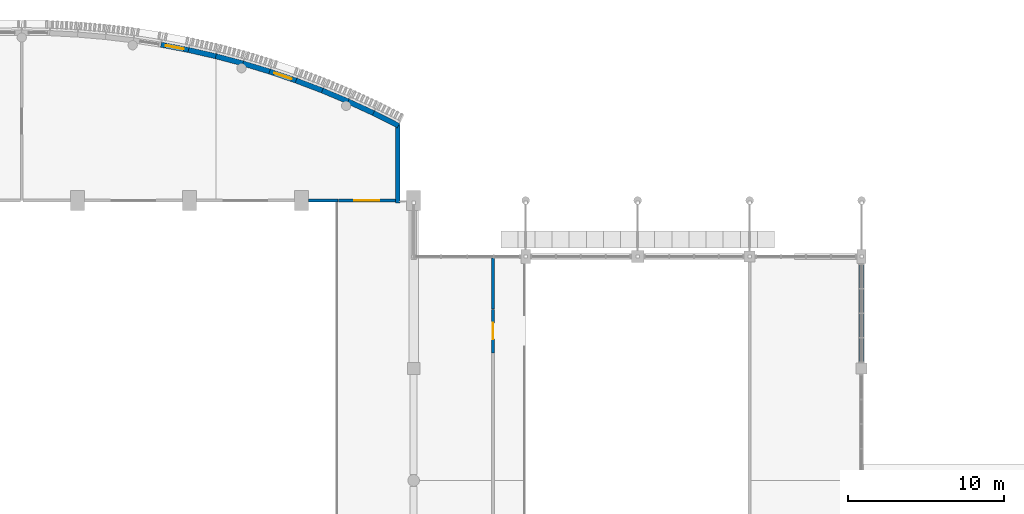
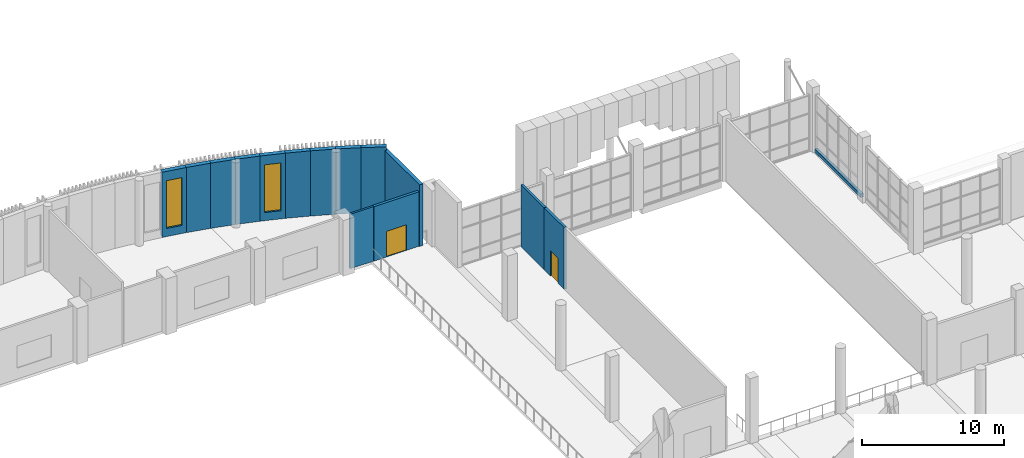
# One storey, part 58 of 80: 15 walls, 2 doors, 2 windows, 4 openings.
"""IFC4 building model written with IfcOpenShell, lengths in metres."""

import ifcopenshell
import ifcopenshell.guid

model = None  # the IFC model being written
_history = None  # IfcOwnerHistory: only IFC2X3 demands one
_inside = {}  # id of a spatial element -> (the spatial element, [elements in it])
_under = {}  # id of a project, library or spatial element -> (it, [spatial elements below it])
_declared = {}  # id of a project -> (the project, [libraries it declares])
_typed = {}  # id of a type object -> (the type object, [elements of that type])
_made_of = {}  # id of a material, layer set ... -> (it, [elements and type objects made of it])


def new_model(schema):
    """Start an empty IFC model of exactly this schema.

    Asked for "IFC4X3", IfcOpenShell would pick the latest addendum, in which some entities
    have other attributes; the version numbers below select the first issue.
    IFC2X3 requires an IfcOwnerHistory on every rooted entity: one is made here for all.
    """
    global model, _history
    if schema == "IFC4X3":
        model = ifcopenshell.file(schema_version=(4, 3, 0, 0))
    else:
        model = ifcopenshell.file(schema=schema)
    _inside.clear()
    _under.clear()
    _declared.clear()
    _typed.clear()
    _made_of.clear()
    _history = None
    if model.schema == "IFC2X3":
        org = make("IfcOrganization", Name="unknown")
        user = make(
            "IfcPersonAndOrganization",
            ThePerson=make("IfcPerson", FamilyName="unknown"),
            TheOrganization=org,
        )
        app = make(
            "IfcApplication",
            ApplicationDeveloper=org,
            Version="unknown",
            ApplicationFullName="unknown",
            ApplicationIdentifier="unknown",
        )
        _history = make(
            "IfcOwnerHistory",
            OwningUser=user,
            OwningApplication=app,
            ChangeAction="ADDED",
            CreationDate=0,
        )
    return model


def make(cls, **values):
    """One entity of the class cls with the attributes given. An attribute that is None is left unset."""
    return model.create_entity(
        cls, **{name: value for name, value in values.items() if value is not None}
    )


def rooted(cls, **values):
    """An entity with a GlobalId (a new one), such as an element, a storey or a relation."""
    return make(cls, GlobalId=ifcopenshell.guid.new(), OwnerHistory=_history, **values)


def si_unit(unit_type, name, prefix=None):
    """IfcSIUnit, for example si_unit("LENGTHUNIT", "METRE", prefix="MILLI")."""
    return make("IfcSIUnit", UnitType=unit_type, Prefix=prefix, Name=name)


def assignment(units):
    """IfcUnitAssignment: the units of a project."""
    return None if units is None else make("IfcUnitAssignment", Units=units)


def point(xyz):
    """IfcCartesianPoint."""
    return None if xyz is None else make("IfcCartesianPoint", Coordinates=xyz)


def direction(xyz):
    """IfcDirection."""
    return None if xyz is None else make("IfcDirection", DirectionRatios=xyz)


def frame(location, z_axis=None, x_axis=None):
    """IfcAxis2Placement3D, a coordinate frame: its origin and axes. An axis left out is left unset."""
    return make(
        "IfcAxis2Placement3D",
        Location=point(location),
        Axis=direction(z_axis),
        RefDirection=direction(x_axis),
    )


def frame_2d(location, x_axis=None):
    """IfcAxis2Placement2D, a coordinate frame in the plane: its origin and x axis."""
    return make(
        "IfcAxis2Placement2D", Location=point(location), RefDirection=direction(x_axis)
    )


def origin():
    """The frame at (0, 0, 0) with its axes left unset."""
    return frame((0.0, 0.0, 0.0))


def place(relative_to, where):
    """IfcLocalPlacement: puts the frame where relative to a parent placement (None: the world)."""
    return make(
        "IfcLocalPlacement", PlacementRelTo=relative_to, RelativePlacement=where
    )


def context(
    kind, dimensions, precision=None, world=None, true_north=None, identifier=None
):
    """IfcGeometricRepresentationContext, for example the 3D "Model" context."""
    return make(
        "IfcGeometricRepresentationContext",
        ContextIdentifier=identifier,
        ContextType=kind,
        CoordinateSpaceDimension=dimensions,
        Precision=precision,
        WorldCoordinateSystem=world,
        TrueNorth=true_north,
    )


def subcontext(parent, identifier, kind, view, scale=None):
    """IfcGeometricRepresentationSubContext, for example "Body" below "Model"."""
    return make(
        "IfcGeometricRepresentationSubContext",
        ContextIdentifier=identifier,
        ContextType=kind,
        ParentContext=parent,
        TargetScale=scale,
        TargetView=view,
    )


def project(units=None, contexts=None):
    """IfcProject with its units and contexts."""
    return rooted(
        "IfcProject",
        Name="project",
        RepresentationContexts=contexts,
        UnitsInContext=assignment(units),
    )


def spatial(cls, under=None, at=None, **own):
    """A site, building, storey or space (cls), placed at a placement, below another one or the project."""
    s = rooted(cls, ObjectPlacement=at, **own)
    if under is not None:
        _under.setdefault(under.id(), (under, []))[1].append(s)
    return s


def polyline(points):
    """IfcPolyline through the points."""
    return make("IfcPolyline", Points=[point(p) for p in points])


def profile(cls, at=None, kind="AREA", **sizes):
    """A parametric profile (cls). Its sizes go by their IFC names, for example OverallWidth=200.0."""
    return make(cls, ProfileType=kind, Position=at, **sizes)


def rectangle(**sizes):
    """IfcRectangleProfileDef."""
    return profile("IfcRectangleProfileDef", **sizes)


def outline(outer, holes=None, kind="AREA"):
    """IfcArbitraryClosedProfileDef: a profile drawn as a closed curve; with holes, ...WithVoids."""
    if holes is None:
        return make("IfcArbitraryClosedProfileDef", ProfileType=kind, OuterCurve=outer)
    return make(
        "IfcArbitraryProfileDefWithVoids",
        ProfileType=kind,
        OuterCurve=outer,
        InnerCurves=holes,
    )


def extrude(swept, where, along, depth):
    """IfcExtrudedAreaSolid: the profile swept, set in the frame where, extruded along a direction by depth."""
    return make(
        "IfcExtrudedAreaSolid",
        SweptArea=swept,
        Position=where,
        ExtrudedDirection=direction(along),
        Depth=depth,
    )


def shape(context_of_items, identifier, shape_type, items):
    """IfcShapeRepresentation: the items that make up one representation, for example the "Body"."""
    return make(
        "IfcShapeRepresentation",
        ContextOfItems=context_of_items,
        RepresentationIdentifier=identifier,
        RepresentationType=shape_type,
        Items=items,
    )


def material(Name=None, Category=None):
    """IfcMaterial."""
    return make("IfcMaterial", Name=Name, Category=Category)


def layer(
    of_material, thickness, ventilated=None, Name=None, Category=None, Priority=None
):
    """IfcMaterialLayer: one layer of a wall or slab, of a material (None: an air gap)."""
    return make(
        "IfcMaterialLayer",
        Material=of_material,
        LayerThickness=thickness,
        IsVentilated=ventilated,
        Name=Name,
        Category=Category,
        Priority=Priority,
    )


def layer_set(layers, Name=None):
    """IfcMaterialLayerSet."""
    return make("IfcMaterialLayerSet", MaterialLayers=layers, LayerSetName=Name)


def made_of(thing, what):
    """Note that an element or type object is made of a material, layer set ...; save() writes the relation."""
    if what is not None:
        _made_of.setdefault(what.id(), (what, []))[1].append(thing)
    return thing


def type_object(cls, material=None, **own):
    """A type object (cls), such as IfcWallType, which elements share."""
    return made_of(rooted(cls, **own), material)


def element(
    cls,
    number,
    at=None,
    inside=None,
    cuts=None,
    type_object=None,
    material=None,
    context=None,
    identifier="Body",
    shape_type=None,
    held_by="IfcProductDefinitionShape",
    body=None,
    shapes=None,
    **own,
):
    """One element of the class cls, such as IfcWall. Its Tag is "e" and its number.

    at: its placement. inside: the storey or other place that contains it. cuts: it is an
    opening in that element (IfcRelVoidsElement). A single representation is given by context,
    identifier, shape_type and body (its items); several are given by shapes. held_by: the class
    of the entity that holds the representations. save() writes the other relations.
    """
    e = rooted(cls, Tag="e%d" % number, ObjectPlacement=at, **own)
    if body is not None:
        shapes = [shape(context, identifier, shape_type, body)]
    if shapes is not None:
        e.Representation = make(held_by, Representations=shapes)
    if inside is not None:
        _inside.setdefault(inside.id(), (inside, []))[1].append(e)
    if cuts is not None:
        rooted(
            "IfcRelVoidsElement", RelatingBuildingElement=cuts, RelatedOpeningElement=e
        )
    if type_object is not None:
        _typed.setdefault(type_object.id(), (type_object, []))[1].append(e)
    return made_of(e, material)


def fill(opening, filler):
    """IfcRelFillsElement: the door or window that sits in an opening."""
    return rooted(
        "IfcRelFillsElement",
        RelatingOpeningElement=opening,
        RelatedBuildingElement=filler,
    )


def aggregate(whole, parts):
    """IfcRelAggregates: a whole, such as a stair, and the parts it consists of."""
    return rooted("IfcRelAggregates", RelatingObject=whole, RelatedObjects=parts)


def save(model, path):
    """Write the relations noted so far, then the file.

    IfcRelAggregates (storeys below a building ...), IfcRelContainedInSpatialStructure (elements
    in a storey), IfcRelDefinesByType, IfcRelAssociatesMaterial and IfcRelDeclares: one each for
    every whole, place, type object, material and project.
    """
    for whole, parts in _under.values():
        aggregate(whole, parts)
    for where, things in _inside.values():
        rooted(
            "IfcRelContainedInSpatialStructure",
            RelatedElements=things,
            RelatingStructure=where,
        )
    for kind, things in _typed.values():
        rooted("IfcRelDefinesByType", RelatedObjects=things, RelatingType=kind)
    for what, things in _made_of.values():
        rooted("IfcRelAssociatesMaterial", RelatedObjects=things, RelatingMaterial=what)
    for by, libraries in _declared.values():
        rooted("IfcRelDeclares", RelatingContext=by, RelatedDefinitions=libraries)
    model.write(path)


model = new_model("IFC4")

# Units and contexts
model_context = context("Model", 3, precision=1e-05, world=origin(), true_north=direction((0.0, 1.0)))
body_context = subcontext(model_context, "Body", "Model", "MODEL_VIEW")
ifc_project = project(units=[si_unit("LENGTHUNIT", "METRE"), si_unit("AREAUNIT", "SQUARE_METRE"), si_unit("VOLUMEUNIT", "CUBIC_METRE"), si_unit("PLANEANGLEUNIT", "RADIAN"), si_unit("MASSUNIT", "GRAM", prefix="KILO")], contexts=[model_context])

# Site, building, storey
site_placement = place(None, origin())
site = spatial("IfcSite", under=ifc_project, at=site_placement, CompositionType="ELEMENT")
building_placement = place(site_placement, origin())
building = spatial("IfcBuilding", under=site, at=building_placement, Name="Sardonyx Promenade Sports Hall", CompositionType="ELEMENT")
storey_placement = place(building_placement, frame((0.0, 0.0, 5.60009765625)))
storey = spatial("IfcBuildingStorey", under=building, at=storey_placement, Name="L01", CompositionType="ELEMENT", Elevation=5.60009765625)

# Wall, opening, window
ifc_material_1 = material(Name="Concrete C40/50", Category="concrete")
ifc_layer_1 = layer(ifc_material_1, 0.340087890625)
ifc_layer_set_1 = layer_set([ifc_layer_1], Name="Wall_Bow_Arc_340")
wall_type_1 = type_object("IfcWallType", Name="Wall_Bow_Arc_340", PredefinedType="SOLIDWALL", material=ifc_layer_set_1)
wall_1_placement = place(storey_placement, frame((62.95556640625, 114.423095703125, 0.0), z_axis=(0.0, 0.0, 1.0), x_axis=(0.981913462005, -0.189330275271, 0.0)))
wall_1 = element("IfcWall", 1, at=wall_1_placement, inside=storey, type_object=wall_type_1, Name="Bowed promenade wall EW07 L01 CH20", PredefinedType="SOLIDWALL", context=body_context, shape_type="SweptSolid", body=[
    extrude(outline(polyline([(0.002943, -0.17), (1.797057, -0.17), (1.802942, 0.17), (-0.002943, 0.17), (0.002943, -0.17)])), origin(), (0.0, 0.0, 1.0), 5.599853515625),
])
opening_1_placement = place(wall_1_placement, frame((0.31005859375, 0.0, 0.699951171875)))
opening_1 = element("IfcOpeningElement", 2, at=opening_1_placement, cuts=wall_1, Name="Opening W09", PredefinedType="OPENING", context=body_context, shape_type="SweptSolid", body=[
    extrude(rectangle(XDim=1.179931640625, YDim=4.10009765625, at=frame_2d((0.58984375, 2.050048828125))), frame((0.0, 0.18, 0.0), z_axis=(0.0, -1.0, 0.0), x_axis=(1.0, 0.0, 0.0)), (0.0, 0.0, 1.0), 0.36),
])
ifc_material_2 = material(Name="Double-glazed solar low-E aluminium window", Category="aluminium")
window_type = type_object("IfcWindowType", Name="Win_Bow_Daylight", PartitioningType="SINGLE_PANEL", PredefinedType="WINDOW", material=ifc_material_2)
window_1_placement = place(opening_1_placement, origin())
window_1 = element("IfcWindow", 3, at=window_1_placement, inside=storey, type_object=window_type, Name="Harbour daylight bay window W09 L01 CH20", OverallHeight=4.10009765625, OverallWidth=1.179931640625, PartitioningType="SINGLE_PANEL", PredefinedType="WINDOW", context=body_context, shape_type="SweptSolid", body=[
    extrude(rectangle(XDim=1.179931640625, YDim=4.10009765625, at=frame_2d((0.58984375, 2.050048828125))), frame((0.0, 0.030029296875, 0.0), z_axis=(0.0, -1.0, 0.0), x_axis=(1.0, 0.0, 0.0)), (0.0, 0.0, 1.0), 0.06005859375),
])
fill(opening_1, window_1)

# Walls
wall_2_placement = place(storey_placement, frame((64.72314453125, 114.082275390625, 0.0), z_axis=(0.0, 0.0, 1.0), x_axis=(0.974791962114, -0.223115733641, 0.0)))
element("IfcWall", 4, at=wall_2_placement, inside=storey, type_object=wall_type_1, Name="Bowed promenade wall EW07 L01 CH21", PredefinedType="SOLIDWALL", context=body_context, shape_type="SweptSolid", body=[
    extrude(outline(polyline([(0.002943, -0.17), (1.797057, -0.17), (1.802943, 0.17), (-0.002943, 0.17), (0.002943, -0.17)])), origin(), (0.0, 0.0, 1.0), 5.599853515625),
])
wall_3_placement = place(storey_placement, frame((66.477783203125, 113.6806640625, 0.0), z_axis=(0.0, 0.0, 1.0), x_axis=(0.966504582235, -0.256649357135, 0.0)))
element("IfcWall", 5, at=wall_3_placement, inside=storey, type_object=wall_type_1, Name="Bowed promenade wall EW07 L01 CH22", PredefinedType="SOLIDWALL", context=body_context, shape_type="SweptSolid", body=[
    extrude(outline(polyline([(0.002943, -0.17), (1.797058, -0.17), (1.802943, 0.17), (-0.002943, 0.17), (0.002943, -0.17)])), origin(), (0.0, 0.0, 1.0), 5.599853515625),
])
wall_4_placement = place(storey_placement, frame((68.21728515625, 113.21875, 0.0), z_axis=(0.0, 0.0, 1.0), x_axis=(0.956993600338, -0.290109029354, 0.0)))
element("IfcWall", 6, at=wall_4_placement, inside=storey, type_object=wall_type_1, Name="Bowed promenade wall EW07 L01 CH23", PredefinedType="SOLIDWALL", context=body_context, shape_type="SweptSolid", body=[
    extrude(outline(polyline([(0.002943, -0.17), (1.797057, -0.17), (1.802942, 0.17), (-0.002943, 0.17), (0.002943, -0.17)])), origin(), (0.0, 0.0, 1.0), 5.599853515625),
])

# Wall, opening, window
wall_5_placement = place(storey_placement, frame((69.93994140625, 112.696533203125, 0.0), z_axis=(0.0, 0.0, 1.0), x_axis=(0.946421657721, -0.322933500578, 0.0)))
wall_5 = element("IfcWall", 7, at=wall_5_placement, inside=storey, type_object=wall_type_1, Name="Bowed promenade wall EW07 L01 CH24", PredefinedType="SOLIDWALL", context=body_context, shape_type="SweptSolid", body=[
    extrude(outline(polyline([(0.002943, -0.17), (1.797057, -0.17), (1.802942, 0.17), (-0.002943, 0.17), (0.002943, -0.17)])), origin(), (0.0, 0.0, 1.0), 5.599853515625),
])
opening_2_placement = place(wall_5_placement, frame((0.31005859375, 0.0, 0.699951171875)))
opening_2 = element("IfcOpeningElement", 8, at=opening_2_placement, cuts=wall_5, Name="Opening W09", PredefinedType="OPENING", context=body_context, shape_type="SweptSolid", body=[
    extrude(rectangle(XDim=1.179931640625, YDim=4.10009765625, at=frame_2d((0.58984375, 2.050048828125))), frame((0.0, 0.18, 0.0), z_axis=(0.0, -1.0, 0.0), x_axis=(1.0, 0.0, 0.0)), (0.0, 0.0, 1.0), 0.36),
])
window_2_placement = place(opening_2_placement, origin())
window_2 = element("IfcWindow", 9, at=window_2_placement, inside=storey, type_object=window_type, Name="Harbour daylight bay window W09 L01 CH24", OverallHeight=4.10009765625, OverallWidth=1.179931640625, PartitioningType="SINGLE_PANEL", PredefinedType="WINDOW", context=body_context, shape_type="SweptSolid", body=[
    extrude(rectangle(XDim=1.179931640625, YDim=4.10009765625, at=frame_2d((0.58984375, 2.050048828125))), frame((0.0, 0.030029296875, 0.0), z_axis=(0.0, -1.0, 0.0), x_axis=(1.0, 0.0, 0.0)), (0.0, 0.0, 1.0), 0.06005859375),
])
fill(opening_2, window_2)

# Walls
wall_6_placement = place(storey_placement, frame((71.6435546875, 112.115234375, 0.0), z_axis=(0.0, 0.0, 1.0), x_axis=(0.934674543416, -0.35550456803, 0.0)))
element("IfcWall", 10, at=wall_6_placement, inside=storey, type_object=wall_type_1, Name="Bowed promenade wall EW07 L01 CH25", PredefinedType="SOLIDWALL", context=body_context, shape_type="SweptSolid", body=[
    extrude(outline(polyline([(0.002943, -0.17), (1.797057, -0.17), (1.802943, 0.17), (-0.002943, 0.17), (0.002943, -0.17)])), origin(), (0.0, 0.0, 1.0), 5.599853515625),
])
wall_7_placement = place(storey_placement, frame((73.325927734375, 111.475341796875, 0.0), z_axis=(0.0, 0.0, 1.0), x_axis=(0.921803799964, -0.387656748131, 0.0)))
element("IfcWall", 11, at=wall_7_placement, inside=storey, type_object=wall_type_1, Name="Bowed promenade wall EW07 L01 CH26", PredefinedType="SOLIDWALL", context=body_context, shape_type="SweptSolid", body=[
    extrude(outline(polyline([(0.002943, -0.17), (1.797058, -0.17), (1.802943, 0.17), (-0.002943, 0.17), (0.002943, -0.17)])), origin(), (0.0, 0.0, 1.0), 5.599853515625),
])
for number, where, z_axis, x_axis, name in (
    (12, (74.985107421875, 110.777587890625, 0.0), (0.0, 0.0, 1.0), (0.907808472517, -0.419384998808, 0.0), "Bowed promenade wall EW07 L01 CH27"),
    (13, (76.619140625, 110.022705078125, 0.0), (0.0, 0.0, 1.0), (0.892821085875, -0.450411488104, 0.0), "Bowed promenade wall EW07 L01 CH28"),
):
    element("IfcWall", number, at=place(storey_placement, frame(where, z_axis=z_axis, x_axis=x_axis)), inside=storey, type_object=wall_type_1, Name=name, PredefinedType="SOLIDWALL", context=body_context, shape_type="SweptSolid", body=[
        extrude(outline(polyline([(0.002943, -0.17), (1.797057, -0.17), (1.802943, 0.17), (-0.002943, 0.17), (0.002943, -0.17)])), origin(), (0.0, 0.0, 1.0), 5.599853515625),
    ])
ifc_material_3 = material(Name="Masonry CMU 15 MPa", Category="masonry")
ifc_layer_2 = layer(ifc_material_3, 0.239990234375)
ifc_layer_set_2 = layer_set([ifc_layer_2], Name="Wall_Ext_Spandrel_240")
wall_type_2 = type_object("IfcWallType", Name="Wall_Ext_Spandrel_240", PredefinedType="SOLIDWALL", material=ifc_layer_set_2)
wall_8_placement = place(storey_placement, frame((108.0, 100.364990234375, 0.0), z_axis=(0.0, 0.0, 1.0), x_axis=(0.0, -1.0, 0.0)))
element("IfcWall", 14, at=wall_8_placement, inside=storey, type_object=wall_type_2, Name="Curtain-wall sill spandrel L01 #181", PredefinedType="SOLIDWALL", context=body_context, shape_type="SweptSolid", body=[
    extrude(rectangle(XDim=6.429931640625, YDim=0.239990234375, at=frame_2d((3.21484375, 0.0))), origin(), (0.0, 0.0, 1.0), 0.2998046875),
])
ifc_material_4 = material(Name="Concrete C40/50", Category="concrete")
ifc_layer_3 = layer(ifc_material_4, 0.280029296875)
ifc_layer_set_3 = layer_set([ifc_layer_3], Name="Wall_Ext_Wing_280")
wall_type_3 = type_object("IfcWallType", Name="Wall_Ext_Wing_280", PredefinedType="SOLIDWALL", material=ifc_layer_set_3)
wall_9_placement = place(storey_placement, frame((78.17626953125, 109.291748046875, 0.0), z_axis=(0.0, 0.0, 1.0), x_axis=(0.0, -1.0, 0.0)))
element("IfcWall", 15, at=wall_9_placement, inside=storey, type_object=wall_type_3, Name="Bowed gallery east return wall L01", PredefinedType="SOLIDWALL", context=body_context, shape_type="SweptSolid", body=[
    extrude(rectangle(XDim=5.041748046875, YDim=0.280029296875, at=frame_2d((2.52099609375, 0.0))), origin(), (0.0, 0.0, 1.0), 5.289794921875),
])
ifc_material_5 = material(Name="Twin-stud acoustic gypsum partition", Category="gypsum")
ifc_layer_4 = layer(ifc_material_5, 0.169921875)
ifc_layer_set_4 = layer_set([ifc_layer_4], Name="Wall_Part_Acoust_170")
wall_type_4 = type_object("IfcWallType", Name="Wall_Part_Acoust_170", PredefinedType="PARTITIONING", material=ifc_layer_set_4)
wall_10_placement = place(storey_placement, frame((72.449951171875, 104.39990234375, 0.0), z_axis=(0.0, 0.0, 1.0), x_axis=(1.0, 0.0, 0.0)))
element("IfcWall", 16, at=wall_10_placement, inside=storey, type_object=wall_type_4, Name="Interior partition PW06 L01 #392", PredefinedType="PARTITIONING", context=body_context, shape_type="SweptSolid", body=[
    extrude(rectangle(XDim=1.900146484375, YDim=0.169921875, at=frame_2d((0.9501953125, 0.0))), origin(), (0.0, 0.0, 1.0), 4.679931640625),
])

# Wall, opening, door
ifc_material_6 = material(Name="Masonry CMU 15 MPa", Category="masonry")
ifc_layer_5 = layer(ifc_material_6, 0.18994140625)
ifc_layer_set_5 = layer_set([ifc_layer_5], Name="Wall_Part_Block_190")
wall_type_5 = type_object("IfcWallType", Name="Wall_Part_Block_190", PredefinedType="PARTITIONING", material=ifc_layer_set_5)
wall_11_placement = place(storey_placement, frame((84.300048828125, 94.610107421875, 0.0), z_axis=(0.0, 0.0, 1.0), x_axis=(0.0, 1.0, 0.0)))
wall_11 = element("IfcWall", 17, at=wall_11_placement, inside=storey, type_object=wall_type_5, Name="Interior partition PW03 L01 #365", PredefinedType="PARTITIONING", context=body_context, shape_type="SweptSolid", body=[
    extrude(rectangle(XDim=2.789794921875, YDim=0.18994140625, at=frame_2d((1.39501953125, 0.0))), origin(), (0.0, 0.0, 1.0), 5.31982421875),
])
opening_3_placement = place(wall_11_placement, frame((0.8701171875, 0.0, 0.0)))
opening_3 = element("IfcOpeningElement", 18, at=opening_3_placement, cuts=wall_11, Name="Opening ID07", PredefinedType="OPENING", context=body_context, shape_type="SweptSolid", body=[
    extrude(rectangle(XDim=1.050048828125, YDim=2.14990234375, at=frame_2d((0.52490234375, 1.074951171875))), frame((0.0, 0.105, 0.0), z_axis=(0.0, -1.0, 0.0), x_axis=(1.0, 0.0, 0.0)), (0.0, 0.0, 1.0), 0.21),
])
ifc_material_7 = material(Name="Hardwood accessible fire door FD30S", Category="wood")
door_type_1 = type_object("IfcDoorType", Name="Door_Corr_FD30_105x215", OperationType="NOTDEFINED", PredefinedType="DOOR", material=ifc_material_7)
door_1_placement = place(opening_3_placement, origin())
door_1 = element("IfcDoor", 19, at=door_1_placement, inside=storey, type_object=door_type_1, Name="Interior door D01-119", OperationType="SINGLE_SWING_LEFT", OverallHeight=2.14990234375, OverallWidth=1.050048828125, PredefinedType="DOOR", context=body_context, shape_type="SweptSolid", body=[
    extrude(rectangle(XDim=1.050048828125, YDim=2.14990234375, at=frame_2d((0.52490234375, 1.074951171875))), frame((0.0, 0.02490234375, 0.0), z_axis=(0.0, -1.0, 0.0), x_axis=(1.0, 0.0, 0.0)), (0.0, 0.0, 1.0), 0.050048828125),
])
fill(opening_3, door_1)

# Wall
wall_12_placement = place(storey_placement, frame((84.300048828125, 97.409912109375, 0.0), z_axis=(0.0, 0.0, 1.0), x_axis=(0.0, 1.0, 0.0)))
element("IfcWall", 20, at=wall_12_placement, inside=storey, type_object=wall_type_5, Name="Interior partition PW03 L01 #366", PredefinedType="PARTITIONING", context=body_context, shape_type="SweptSolid", body=[
    extrude(rectangle(XDim=3.280029296875, YDim=0.18994140625, at=frame_2d((1.64013671875, 0.0))), origin(), (0.0, 0.0, 1.0), 5.31982421875),
])

# Wall, opening, door
ifc_material_8 = material(Name="Masonry CMU 15 MPa", Category="masonry")
ifc_layer_6 = layer(ifc_material_8, 0.2099609375)
ifc_layer_set_6 = layer_set([ifc_layer_6], Name="Wall_Part_Block_210")
wall_type_6 = type_object("IfcWallType", Name="Wall_Part_Block_210", PredefinedType="PARTITIONING", material=ifc_layer_set_6)
wall_13_placement = place(storey_placement, frame((74.360107421875, 104.39990234375, 0.0), z_axis=(0.0, 0.0, 1.0), x_axis=(1.0, 0.0, 0.0)))
wall_13 = element("IfcWall", 21, at=wall_13_placement, inside=storey, type_object=wall_type_6, Name="Interior partition PW07 L01 #393", PredefinedType="PARTITIONING", context=body_context, shape_type="SweptSolid", body=[
    extrude(rectangle(XDim=3.666259765625, YDim=0.2099609375, at=frame_2d((1.8330078125, 0.0))), origin(), (0.0, 0.0, 1.0), 4.679931640625),
])
opening_4_placement = place(wall_13_placement, frame((1.033203125, 0.0, 0.0)))
opening_4 = element("IfcOpeningElement", 22, at=opening_4_placement, cuts=wall_13, Name="Opening ID09", PredefinedType="OPENING", context=body_context, shape_type="SweptSolid", body=[
    extrude(rectangle(XDim=1.60009765625, YDim=2.199951171875, at=frame_2d((0.800048828125, 1.10009765625))), frame((0.0, 0.115, 0.0), z_axis=(0.0, -1.0, 0.0), x_axis=(1.0, 0.0, 0.0)), (0.0, 0.0, 1.0), 0.23),
])
ifc_material_9 = material(Name="Double hardwood vision-panel fire door FD60S", Category="wood")
door_type_2 = type_object("IfcDoorType", Name="Door_Lobby_FD60_160x220", OperationType="NOTDEFINED", PredefinedType="DOOR", material=ifc_material_9)
door_2_placement = place(opening_4_placement, origin())
door_2 = element("IfcDoor", 23, at=door_2_placement, inside=storey, type_object=door_type_2, Name="Interior door D01-126", OperationType="DOUBLE_DOOR_SINGLE_SWING", OverallHeight=2.199951171875, OverallWidth=1.60009765625, PredefinedType="DOOR", context=body_context, shape_type="SweptSolid", body=[
    extrude(rectangle(XDim=1.60009765625, YDim=2.199951171875, at=frame_2d((0.800048828125, 1.10009765625))), frame((0.0, 0.02490234375, 0.0), z_axis=(0.0, -1.0, 0.0), x_axis=(1.0, 0.0, 0.0)), (0.0, 0.0, 1.0), 0.050048828125),
])
fill(opening_4, door_2)

save(model, "model.ifc")
